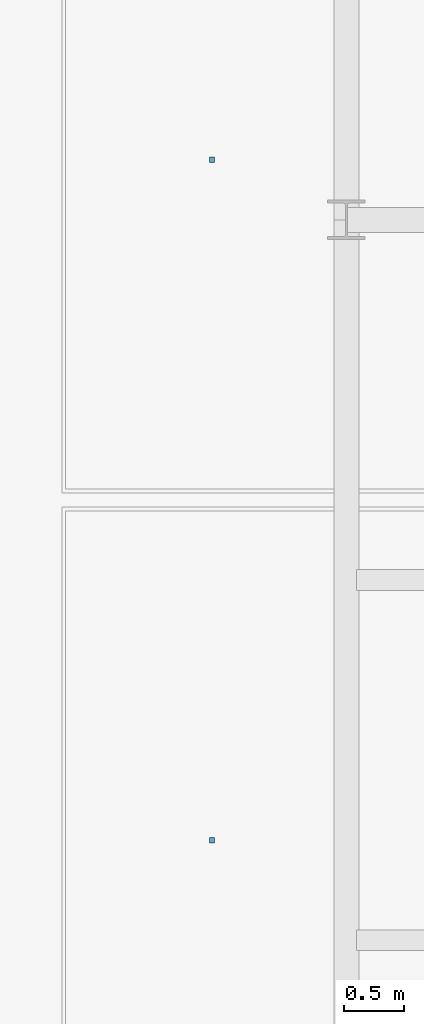
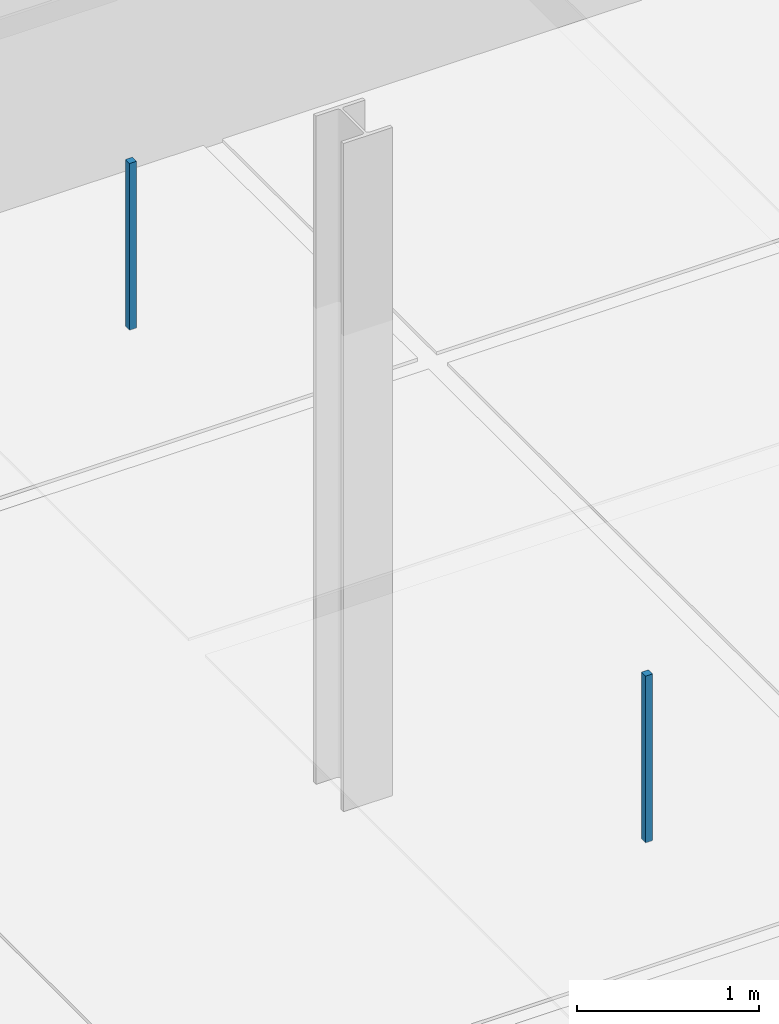
# One storey, part 57 of 66: 2 discrete accessories.
"""IFC4 building model written with IfcOpenShell, lengths in metres."""

from ifc_helpers import new_model, si_unit, direction, frame, origin, origin_2d, place, context, subcontext, project, spatial, rectangle, extrude, material, type_object, element, save


model = new_model("IFC4")

# Units and contexts
model_context = context("Model", 3, precision=1e-05, world=origin(), true_north=direction((0.0, 1.0)))
body_context = subcontext(model_context, "Body", "Model", "MODEL_VIEW")
ifc_project = project(units=[si_unit("LENGTHUNIT", "METRE"), si_unit("AREAUNIT", "SQUARE_METRE"), si_unit("VOLUMEUNIT", "CUBIC_METRE"), si_unit("PLANEANGLEUNIT", "RADIAN"), si_unit("MASSUNIT", "GRAM", prefix="KILO"), si_unit("THERMODYNAMICTEMPERATUREUNIT", "KELVIN"), si_unit("POWERUNIT", "WATT")], contexts=[model_context])

# Site, building, storey
site_placement = place(None, origin())
site = spatial("IfcSite", under=ifc_project, at=site_placement, CompositionType="ELEMENT")
building_placement = place(site_placement, origin())
building = spatial("IfcBuilding", under=site, at=building_placement, Name="Tallowbark Science Centre", CompositionType="ELEMENT")
storey_placement = place(building_placement, frame((0.0, 0.0, 18.89990234375)))
storey = spatial("IfcBuildingStorey", under=building, at=storey_placement, Name="L04", CompositionType="ELEMENT", Elevation=18.89990234375)

# Discrete accessories
ifc_material = material(Name="Galvanised Steel Grade C350L0 (350 MPa)", Category="steel")
discrete_accessory_type = type_object("IfcDiscreteAccessoryType", Name="ACC-CLG-HNG", PredefinedType="BRACKET", material=ifc_material)
for number, where, z_axis, x_axis, name in (
    (1, (129.380615234375, 75.833251953125, 3.2060546875), (0.0, 0.0, 1.0), (1.0, 0.0, 0.0), "Ceiling Hanger Bracket L04-1122"),
    (2, (129.380615234375, 81.5, 3.2060546875), (0.0, 0.0, 1.0), (1.0, 0.0, 0.0), "Ceiling Hanger Bracket L04-1123"),
):
    element("IfcDiscreteAccessory", number, at=place(storey_placement, frame(where, z_axis=z_axis, x_axis=x_axis)), inside=storey, type_object=discrete_accessory_type, Name=name, PredefinedType="BRACKET", context=body_context, shape_type="SweptSolid", body=[
        extrude(rectangle(XDim=0.044921875, YDim=0.044921875, at=origin_2d()), origin(), (0.0, 0.0, 1.0), 1.116943359375),
    ])

save(model, "model.ifc")
